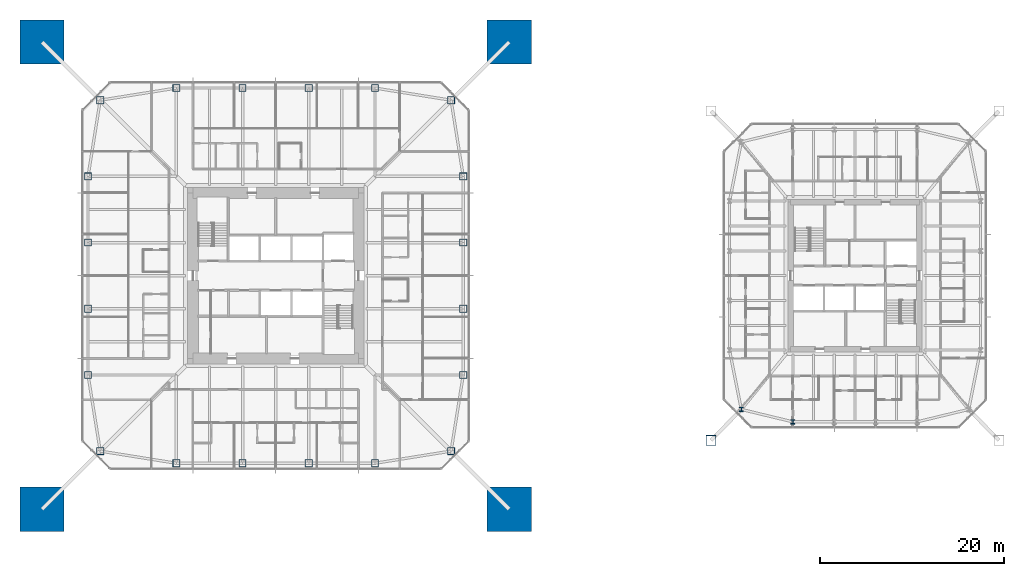
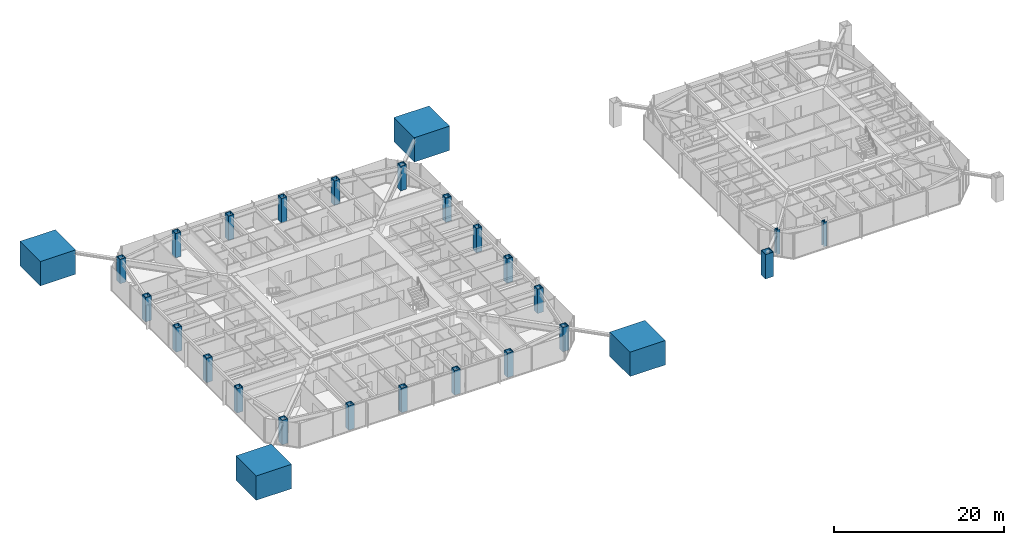
# One storey, part 1 of 25: 27 columns.
"""IFC4 building model written with IfcOpenShell, lengths in metres."""

from ifc_helpers import new_model, si_unit, direction, frame, origin, origin_2d, place, context, subcontext, project, spatial, rectangle, hollow_rectangle, i_section, extrude, material, material_profile, profile_set, type_object, element, save


model = new_model("IFC4")

# Units and contexts
model_context = context("Model", 3, precision=1e-05, world=origin(), true_north=direction((0.0, 1.0)))
body_context = subcontext(model_context, "Body", "Model", "MODEL_VIEW")
ifc_project = project(units=[si_unit("LENGTHUNIT", "METRE"), si_unit("AREAUNIT", "SQUARE_METRE"), si_unit("VOLUMEUNIT", "CUBIC_METRE"), si_unit("PLANEANGLEUNIT", "RADIAN"), si_unit("MASSUNIT", "GRAM", prefix="KILO")], contexts=[model_context])

# Site, building, storey
site_placement = place(None, origin())
site = spatial("IfcSite", under=ifc_project, at=site_placement, CompositionType="ELEMENT")
building_placement = place(site_placement, origin())
building = spatial("IfcBuilding", under=site, at=building_placement, Name="Iwan Alto Co-Living Towers", CompositionType="ELEMENT")
storey_placement = place(building_placement, frame((0.0, 0.0, 84.0)))
storey = spatial("IfcBuildingStorey", under=building, at=storey_placement, Name="L22", CompositionType="ELEMENT", Elevation=84.0)

# Columns
ifc_material_1 = material(Name="Concrete f'c 70 MPa", Category="concrete")
ifc_material_profile_1 = material_profile(ifc_material_1, rectangle(XDim=4.800048828125, YDim=4.800048828125, at=origin_2d()), Name="RC 4800X4800")
ifc_profile_set_1 = profile_set([ifc_material_profile_1], Name="Concrete f'c 70 MPa")
column_type_1 = type_object("IfcColumnType", Name="T1 MEGA COLUMN RC 4800X4800", PredefinedType="COLUMN", material=ifc_profile_set_1)
for number, where, z_axis, x_axis, name in (
    (1, (-25.39990234375, -25.39990234375, 0.0), (0.0, 0.0, 1.0), (1.0, 0.0, 0.0), "T1 mega column SW L22"),
    (2, (25.39990234375, -25.39990234375, 0.0), (0.0, 0.0, 1.0), (1.0, 0.0, 0.0), "T1 mega column SE L22"),
    (3, (25.39990234375, 25.39990234375, 0.0), (0.0, 0.0, 1.0), (1.0, 0.0, 0.0), "T1 mega column NE L22"),
    (4, (-25.39990234375, 25.39990234375, 0.0), (0.0, 0.0, 1.0), (1.0, 0.0, 0.0), "T1 mega column NW L22"),
):
    element("IfcColumn", number, at=place(storey_placement, frame(where, z_axis=z_axis, x_axis=x_axis)), inside=storey, type_object=column_type_1, Name=name, PredefinedType="COLUMN", context=body_context, shape_type="SweptSolid", body=[
        extrude(rectangle(XDim=4.800048828125, YDim=4.800048828125, at=origin_2d()), origin(), (0.0, 0.0, 1.0), 3.5),
        extrude(i_section(OverallWidth=0.4775390625, OverallDepth=0.599365234375, WebThickness=0.10009765625, FlangeThickness=0.139892578125, at=origin_2d()), origin(), (0.0, 0.0, 1.0), 3.5),
    ])
ifc_material_2 = material(Name="Steel ASTM A572 Gr 50", Category="steel")
ifc_material_profile_2 = material_profile(ifc_material_2, hollow_rectangle(XDim=0.800048828125, YDim=0.800048828125, WallThickness=0.070068359375, at=origin_2d()), Name="BOX 800X800X70")
ifc_profile_set_2 = profile_set([ifc_material_profile_2], Name="Steel ASTM A572 Gr 50")
column_type_2 = type_object("IfcColumnType", Name="T1 RING COLUMN BOX 800X800X70", PredefinedType="COLUMN", material=ifc_profile_set_2)
for number, where, z_axis, x_axis, name in (
    (5, (-19.07568359375, -19.07568359375, 0.0), (0.0, 0.0, 1.0), (1.0, 0.0, 0.0), "T1 ring column CSW L22"),
    (6, (-10.800048828125, -20.39990234375, 0.0), (0.0, 0.0, 1.0), (1.0, 0.0, 0.0), "T1 ring column S1 L22"),
    (7, (-3.60009765625, -20.39990234375, 0.0), (0.0, 0.0, 1.0), (1.0, 0.0, 0.0), "T1 ring column S2 L22"),
    (8, (3.60009765625, -20.39990234375, 0.0), (0.0, 0.0, 1.0), (1.0, 0.0, 0.0), "T1 ring column S3 L22"),
    (9, (10.800048828125, -20.39990234375, 0.0), (0.0, 0.0, 1.0), (1.0, 0.0, 0.0), "T1 ring column S4 L22"),
    (10, (19.07568359375, -19.07568359375, 0.0), (0.0, 0.0, 1.0), (1.0, 0.0, 0.0), "T1 ring column CSE L22"),
    (11, (20.39990234375, -10.800048828125, 0.0), (0.0, 0.0, 1.0), (1.0, 0.0, 0.0), "T1 ring column E1 L22"),
    (12, (20.39990234375, -3.60009765625, 0.0), (0.0, 0.0, 1.0), (1.0, 0.0, 0.0), "T1 ring column E2 L22"),
    (13, (20.39990234375, 3.60009765625, 0.0), (0.0, 0.0, 1.0), (1.0, 0.0, 0.0), "T1 ring column E3 L22"),
    (14, (20.39990234375, 10.800048828125, 0.0), (0.0, 0.0, 1.0), (1.0, 0.0, 0.0), "T1 ring column E4 L22"),
    (15, (19.07568359375, 19.07568359375, 0.0), (0.0, 0.0, 1.0), (1.0, 0.0, 0.0), "T1 ring column CNE L22"),
    (16, (10.800048828125, 20.39990234375, 0.0), (0.0, 0.0, 1.0), (1.0, 0.0, 0.0), "T1 ring column N1 L22"),
    (17, (3.60009765625, 20.39990234375, 0.0), (0.0, 0.0, 1.0), (1.0, 0.0, 0.0), "T1 ring column N2 L22"),
    (18, (-3.60009765625, 20.39990234375, 0.0), (0.0, 0.0, 1.0), (1.0, 0.0, 0.0), "T1 ring column N3 L22"),
    (19, (-10.800048828125, 20.39990234375, 0.0), (0.0, 0.0, 1.0), (1.0, 0.0, 0.0), "T1 ring column N4 L22"),
    (20, (-19.07568359375, 19.07568359375, 0.0), (0.0, 0.0, 1.0), (1.0, 0.0, 0.0), "T1 ring column CNW L22"),
    (21, (-20.39990234375, 10.800048828125, 0.0), (0.0, 0.0, 1.0), (1.0, 0.0, 0.0), "T1 ring column W1 L22"),
    (22, (-20.39990234375, 3.60009765625, 0.0), (0.0, 0.0, 1.0), (1.0, 0.0, 0.0), "T1 ring column W2 L22"),
    (23, (-20.39990234375, -3.60009765625, 0.0), (0.0, 0.0, 1.0), (1.0, 0.0, 0.0), "T1 ring column W3 L22"),
    (24, (-20.39990234375, -10.800048828125, 0.0), (0.0, 0.0, 1.0), (1.0, 0.0, 0.0), "T1 ring column W4 L22"),
):
    element("IfcColumn", number, at=place(storey_placement, frame(where, z_axis=z_axis, x_axis=x_axis)), inside=storey, type_object=column_type_2, Name=name, PredefinedType="COLUMN", context=body_context, shape_type="SweptSolid", body=[
        extrude(hollow_rectangle(XDim=0.800048828125, YDim=0.800048828125, WallThickness=0.070068359375, at=origin_2d()), origin(), (0.0, 0.0, 1.0), 3.5),
    ])
ifc_material_3 = material(Name="Steel ASTM A572 Gr 50", Category="steel")
ifc_material_profile_3 = material_profile(ifc_material_3, hollow_rectangle(XDim=1.10009765625, YDim=1.10009765625, WallThickness=0.06005859375, at=origin_2d()), Name="BOX 1100X1100X60")
ifc_profile_set_3 = profile_set([ifc_material_profile_3], Name="Steel ASTM A572 Gr 50")
column_type_3 = type_object("IfcColumnType", Name="T2 MEGA COLUMN BOX 1100X1100X60", PredefinedType="COLUMN", material=ifc_profile_set_3)
column_placement = place(storey_placement, frame((47.35009765625, -17.89990234375, 0.0), z_axis=(0.0, 0.0, 1.0), x_axis=(1.0, 0.0, 0.0)))
element("IfcColumn", 25, at=column_placement, inside=storey, type_object=column_type_3, Name="T2 mega column SW L22", PredefinedType="COLUMN", context=body_context, shape_type="SweptSolid", body=[
    extrude(hollow_rectangle(XDim=1.10009765625, YDim=1.10009765625, WallThickness=0.06005859375, at=origin_2d()), origin(), (0.0, 0.0, 1.0), 3.5),
])
ifc_material_4 = material(Name="Steel ASTM A992 Gr 50", Category="steel")
ifc_material_profile_4 = material_profile(ifc_material_4, i_section(OverallWidth=0.4267578125, OverallDepth=0.482666015625, WebThickness=0.05126953125, FlangeThickness=0.08154296875, at=origin_2d()), Name="W14X455")
ifc_profile_set_4 = profile_set([ifc_material_profile_4], Name="Steel ASTM A992 Gr 50")
column_type_4 = type_object("IfcColumnType", Name="T2 RING COLUMN W14X455", PredefinedType="COLUMN", material=ifc_profile_set_4)
for number, where, z_axis, x_axis, name in (
    (26, (50.638671875, -14.542724609375, 0.0), (0.0, 0.0, 1.0), (1.0, 0.0, 0.0), "T2 ring column CSW L22"),
    (27, (56.25, -15.89990234375, 0.0), (0.0, 0.0, 1.0), (1.0, 0.0, 0.0), "T2 ring column S1 L22"),
):
    element("IfcColumn", number, at=place(storey_placement, frame(where, z_axis=z_axis, x_axis=x_axis)), inside=storey, type_object=column_type_4, Name=name, PredefinedType="COLUMN", context=body_context, shape_type="SweptSolid", body=[
        extrude(i_section(OverallWidth=0.4267578125, OverallDepth=0.482666015625, WebThickness=0.05126953125, FlangeThickness=0.08154296875, at=origin_2d()), origin(), (0.0, 0.0, 1.0), 3.5),
    ])

save(model, "model.ifc")
